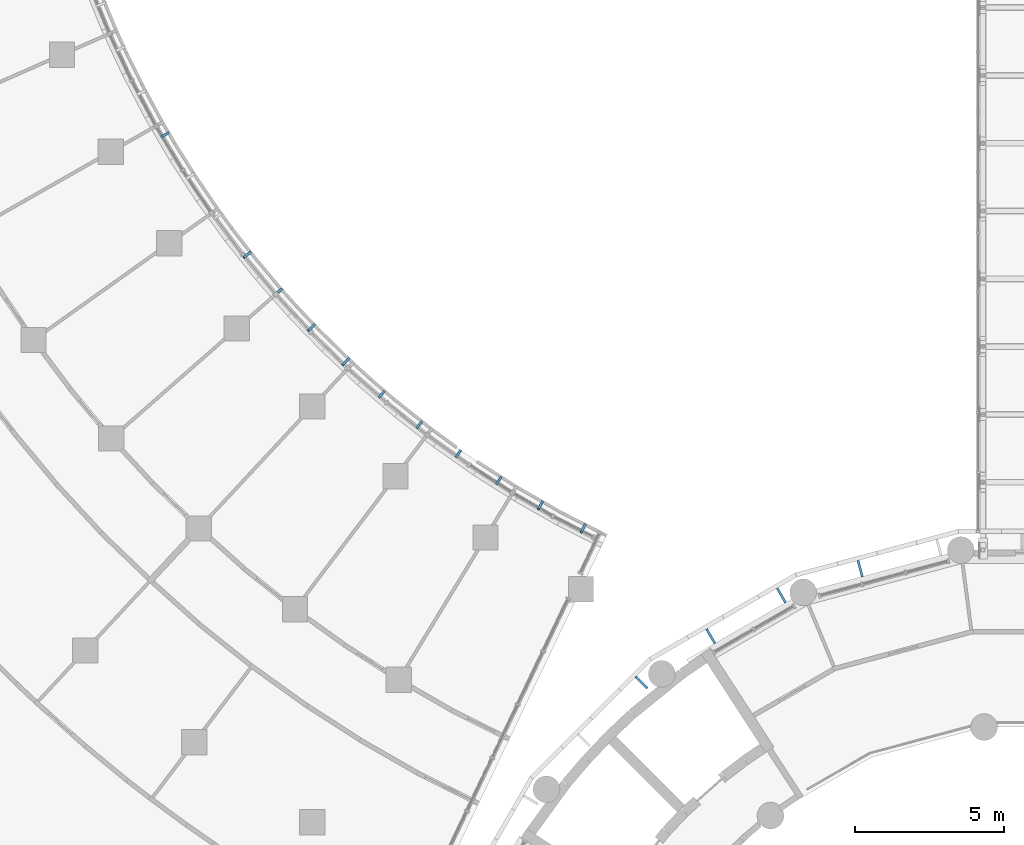
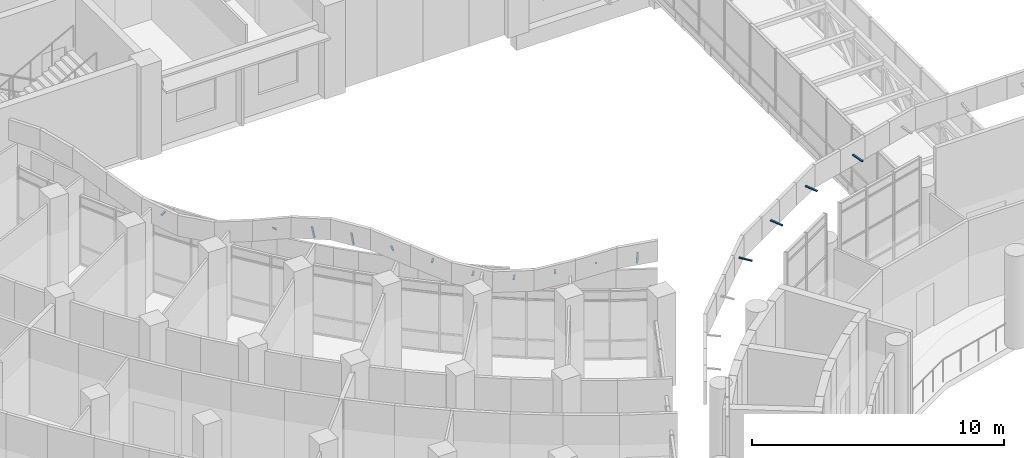
# One storey, part 104 of 136: 15 discrete accessories.
"""IFC4 building model written with IfcOpenShell, lengths in metres."""

from ifc_helpers import new_model, si_unit, direction, frame, origin, origin_2d, place, context, subcontext, project, spatial, rectangle, extrude, material, material_profile, profile_set, type_object, element, save


model = new_model("IFC4")

# Units and contexts
model_context = context("Model", 3, precision=1e-05, world=origin(), true_north=direction((0.0, 1.0)))
body_context = subcontext(model_context, "Body", "Model", "MODEL_VIEW")
ifc_project = project(units=[si_unit("LENGTHUNIT", "METRE"), si_unit("AREAUNIT", "SQUARE_METRE"), si_unit("VOLUMEUNIT", "CUBIC_METRE"), si_unit("PLANEANGLEUNIT", "RADIAN"), si_unit("MASSUNIT", "GRAM", prefix="KILO")], contexts=[model_context])

# Site, building, storey
site_placement = place(None, origin())
site = spatial("IfcSite", under=ifc_project, at=site_placement, CompositionType="ELEMENT")
building_placement = place(site_placement, origin())
building = spatial("IfcBuilding", under=site, at=building_placement, Name="Bougainvillea Quay General Hospital", CompositionType="ELEMENT")
storey_placement = place(building_placement, frame((0.0, 0.0, 5.39990234375)))
storey = spatial("IfcBuildingStorey", under=building, at=storey_placement, Name="L01", CompositionType="ELEMENT", Elevation=5.39990234375)

# Discrete accessories
ifc_material = material(Name="Stainless steel bracket, grade 316", Category="steel")
ifc_material_profile = material_profile(ifc_material, rectangle(XDim=0.080078125, YDim=0.050048828125, at=origin_2d()))
ifc_profile_set = profile_set([ifc_material_profile], Name="Stainless steel bracket, grade 316")
discrete_accessory_type = type_object("IfcDiscreteAccessoryType", Name="Stainless steel stand-off bracket 80x50", PredefinedType="BRACKET", material=ifc_profile_set)
discrete_accessory_1_placement = place(storey_placement, frame((93.839111328125, 95.6787109375, 4.440185546875), z_axis=(-0.177203263845, -0.349936535448, 0.919860546192), x_axis=(0.892136394732, -0.451766148792, 0.0)))
element("IfcDiscreteAccessory", 1, at=discrete_accessory_1_placement, inside=storey, type_object=discrete_accessory_type, Name="Fascia bracket a11 1", PredefinedType="BRACKET", context=body_context, shape_type="SweptSolid", body=[
    extrude(rectangle(XDim=0.080078125, YDim=0.050048828125, at=origin_2d()), origin(), (0.0, 0.0, 1.0), 0.7646484375),
])
discrete_accessory_2_placement = place(storey_placement, frame((92.40966796875, 96.4462890625, 4.440185546875), z_axis=(-0.373199141491, -0.656633744831, 0.655404093624), x_axis=(0.869392978279, -0.494121290089, 0.0)))
element("IfcDiscreteAccessory", 2, at=discrete_accessory_2_placement, inside=storey, type_object=discrete_accessory_type, Name="Fascia bracket a11 2", PredefinedType="BRACKET", context=body_context, shape_type="SweptSolid", body=[
    extrude(rectangle(XDim=0.080078125, YDim=0.050048828125, at=origin_2d()), origin(), (0.0, 0.0, 1.0), 0.39697265625),
])
discrete_accessory_3_placement = place(storey_placement, frame((91.018310546875, 97.28125, 4.14111328125), z_axis=(-0.534819664532, -0.844966227982, 0.0), x_axis=(0.844966227982, -0.534819664532, 0.0)))
element("IfcDiscreteAccessory", 3, at=discrete_accessory_3_placement, inside=storey, type_object=discrete_accessory_type, Name="Fascia bracket a11 3", PredefinedType="BRACKET", context=body_context, shape_type="SweptSolid", body=[
    extrude(rectangle(XDim=0.080078125, YDim=0.050048828125, at=origin_2d()), origin(), (0.0, 0.0, 1.0), 0.2998046875),
])
discrete_accessory_4_placement = place(storey_placement, frame((89.668701171875, 98.181640625, 3.789794921875), z_axis=(-0.574989659734, -0.818160675661, 0.0), x_axis=(0.818160675661, -0.574989659734, 0.0)))
element("IfcDiscreteAccessory", 4, at=discrete_accessory_4_placement, inside=storey, type_object=discrete_accessory_type, Name="Fascia bracket a11 4", PredefinedType="BRACKET", context=body_context, shape_type="SweptSolid", body=[
    extrude(rectangle(XDim=0.080078125, YDim=0.050048828125, at=origin_2d()), origin(), (0.0, 0.0, 1.0), 0.30029296875),
])
for number, where, z_axis, x_axis, name in (
    (5, (88.36328125, 99.1455078125, 3.850341796875), (-0.61281314795, -0.790227844169, 0.0), (0.790227844169, -0.61281314795, 0.0), "Fascia bracket a11 5"),
    (6, (87.10546875, 100.17041015625, 4.287353515625), (-0.650054054962, -0.759887969129, 0.0), (0.759887969129, -0.650054054962, 0.0), "Fascia bracket a11 6"),
):
    element("IfcDiscreteAccessory", number, at=place(storey_placement, frame(where, z_axis=z_axis, x_axis=x_axis)), inside=storey, type_object=discrete_accessory_type, Name=name, PredefinedType="BRACKET", context=body_context, shape_type="SweptSolid", body=[
        extrude(rectangle(XDim=0.080078125, YDim=0.050048828125, at=origin_2d()), origin(), (0.0, 0.0, 1.0), 0.300048828125),
    ])
discrete_accessory_5_placement = place(storey_placement, frame((85.89794921875, 101.254150390625, 4.440185546875), z_axis=(-0.406185448881, -0.431270535985, 0.805617220464), x_axis=(0.727960895499, -0.685618651018, 0.0)))
element("IfcDiscreteAccessory", 7, at=discrete_accessory_5_placement, inside=storey, type_object=discrete_accessory_type, Name="Fascia bracket a11 7", PredefinedType="BRACKET", context=body_context, shape_type="SweptSolid", body=[
    extrude(rectangle(XDim=0.080078125, YDim=0.050048828125, at=origin_2d()), origin(), (0.0, 0.0, 1.0), 0.506103515625),
])
discrete_accessory_6_placement = place(storey_placement, frame((84.74365234375, 102.394287109375, 4.440185546875), z_axis=(-0.262178775244, -0.252984723171, 0.931268500301), x_axis=(0.694376569447, -0.719611825781, 0.0)))
element("IfcDiscreteAccessory", 8, at=discrete_accessory_6_placement, inside=storey, type_object=discrete_accessory_type, Name="Fascia bracket a11 8", PredefinedType="BRACKET", context=body_context, shape_type="SweptSolid", body=[
    extrude(rectangle(XDim=0.080078125, YDim=0.050048828125, at=origin_2d()), origin(), (0.0, 0.0, 1.0), 0.8232421875),
])
discrete_accessory_7_placement = place(storey_placement, frame((83.64501953125, 103.58837890625, 4.440185546875), z_axis=(-0.290650839076, -0.25479131997, 0.922281666853), x_axis=(0.659195718475, -0.751971412186, 0.0)))
element("IfcDiscreteAccessory", 9, at=discrete_accessory_7_placement, inside=storey, type_object=discrete_accessory_type, Name="Fascia bracket a11 9", PredefinedType="BRACKET", context=body_context, shape_type="SweptSolid", body=[
    extrude(rectangle(XDim=0.080078125, YDim=0.050048828125, at=origin_2d()), origin(), (0.0, 0.0, 1.0), 0.776123046875),
])
discrete_accessory_8_placement = place(storey_placement, frame((82.604736328125, 104.83349609375, 4.440185546875), z_axis=(-0.567597754792, -0.451364118936, 0.688551538298), x_axis=(0.622410307918, -0.78269113231, 0.0)))
element("IfcDiscreteAccessory", 10, at=discrete_accessory_8_placement, inside=storey, type_object=discrete_accessory_type, Name="Fascia bracket a11 10", PredefinedType="BRACKET", context=body_context, shape_type="SweptSolid", body=[
    extrude(rectangle(XDim=0.080078125, YDim=0.050048828125, at=origin_2d()), origin(), (0.0, 0.0, 1.0), 0.413818359375),
])
discrete_accessory_9_placement = place(storey_placement, frame((79.855712890625, 108.84619140625, 3.83837890625), z_axis=(-0.863187603129, -0.504883315038, 0.0), x_axis=(0.504883315038, -0.863187603129, 0.0)))
element("IfcDiscreteAccessory", 11, at=discrete_accessory_9_placement, inside=storey, type_object=discrete_accessory_type, Name="Fascia bracket a11 13", PredefinedType="BRACKET", context=body_context, shape_type="SweptSolid", body=[
    extrude(rectangle(XDim=0.080078125, YDim=0.050048828125, at=origin_2d()), origin(), (0.0, 0.0, 1.0), 0.2998046875),
])
discrete_accessory_10_placement = place(storey_placement, frame((103.149658203125, 93.93310546875, 7.14013671875), z_axis=(-0.257265896735, 0.96022399879, 0.108554735157), x_axis=(-0.965932200741, -0.258795254151, 0.0)))
element("IfcDiscreteAccessory", 12, at=discrete_accessory_10_placement, inside=storey, type_object=discrete_accessory_type, Name="Fascia bracket e1 29", PredefinedType="BRACKET", context=body_context, shape_type="SweptSolid", body=[
    extrude(rectangle(XDim=0.080078125, YDim=0.050048828125, at=origin_2d()), origin(), (0.0, 0.0, 1.0), 0.55322265625),
])
discrete_accessory_11_placement = place(storey_placement, frame((100.570556640625, 93.058349609375, 7.14013671875), z_axis=(-0.497241294851, 0.860796598273, 0.108537141556), x_axis=(-0.865912065108, -0.500196256984, 0.0)))
element("IfcDiscreteAccessory", 13, at=discrete_accessory_11_placement, inside=storey, type_object=discrete_accessory_type, Name="Fascia bracket e1 31", PredefinedType="BRACKET", context=body_context, shape_type="SweptSolid", body=[
    extrude(rectangle(XDim=0.080078125, YDim=0.050048828125, at=origin_2d()), origin(), (0.0, 0.0, 1.0), 0.553466796875),
])
for number, where, z_axis, x_axis, name in (
    (14, (98.196533203125, 91.68798828125, 7.14013671875), (-0.496909065825, 0.860985424, 0.108560950438), (-0.866104278045, -0.499863360881, 0.0), "Fascia bracket e1 33"),
    (15, (95.931396484375, 90.175537109375, 7.14013671875), (-0.702928468265, 0.702928468265, 0.108550158941), (-0.707106781187, -0.707106781187, 0.0), "Fascia bracket e1 35"),
):
    element("IfcDiscreteAccessory", number, at=place(storey_placement, frame(where, z_axis=z_axis, x_axis=x_axis)), inside=storey, type_object=discrete_accessory_type, Name=name, PredefinedType="BRACKET", context=body_context, shape_type="SweptSolid", body=[
        extrude(rectangle(XDim=0.080078125, YDim=0.050048828125, at=origin_2d()), origin(), (0.0, 0.0, 1.0), 0.55322265625),
    ])

save(model, "model.ifc")
